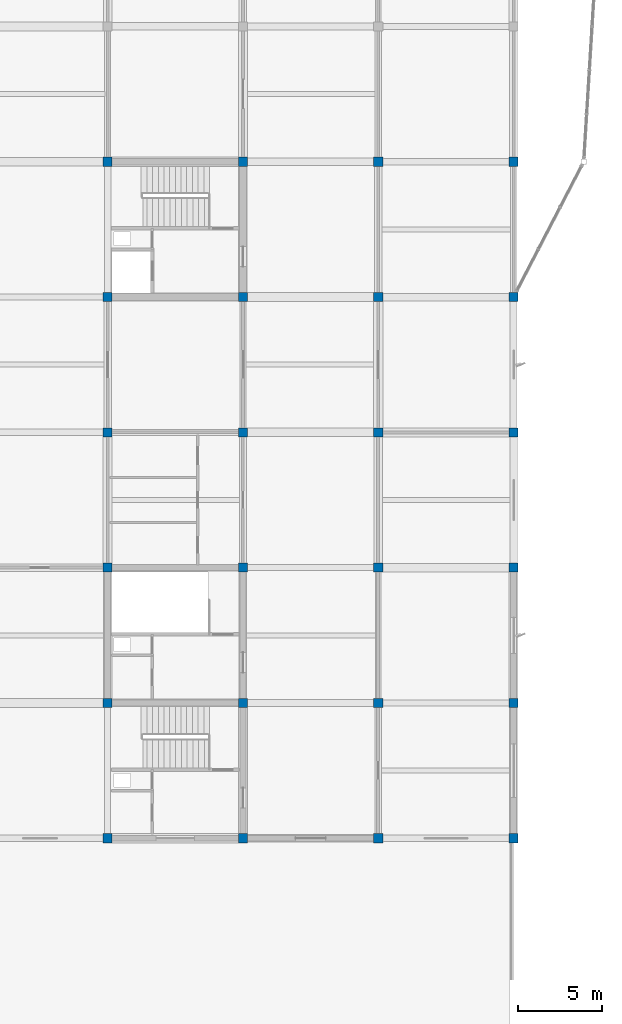
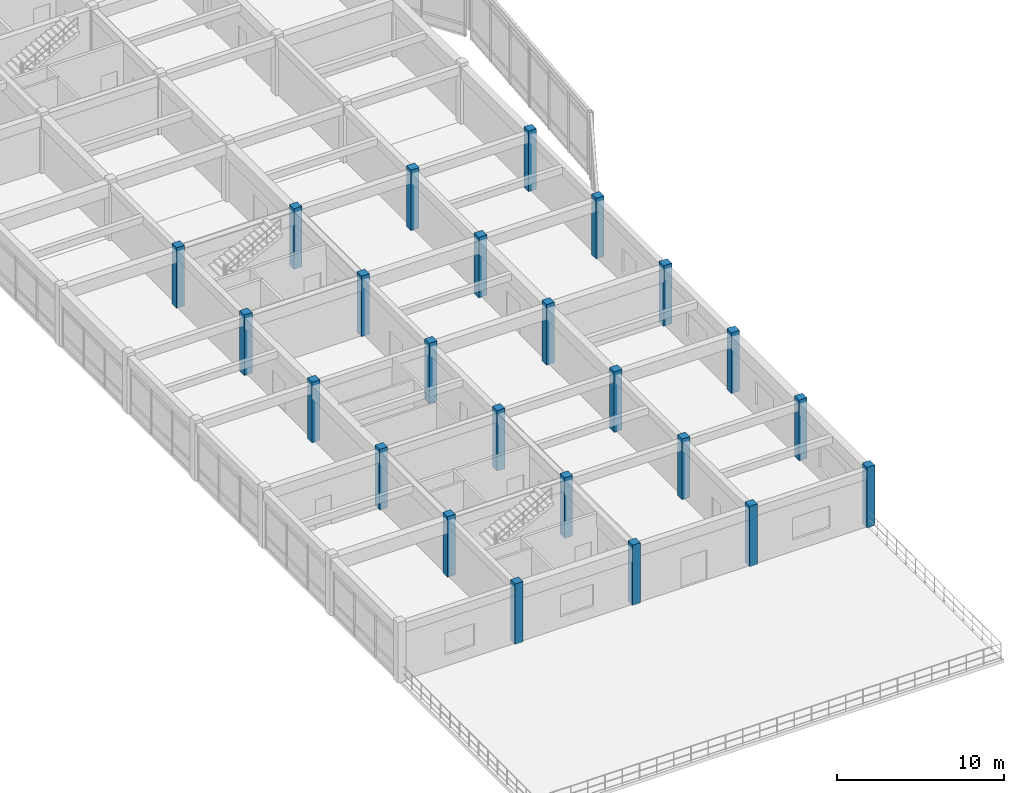
# One storey, part 10 of 33: 24 columns.
"""IFC4 building model written with IfcOpenShell, lengths in metres."""

from ifc_helpers import new_model, si_unit, direction, frame, origin, origin_2d, place, context, subcontext, project, spatial, rectangle, extrude, material, material_profile, profile_set, type_object, element, save


model = new_model("IFC4")

# Units and contexts
model_context = context("Model", 3, precision=1e-05, world=origin(), true_north=direction((0.0, 1.0)))
body_context = subcontext(model_context, "Body", "Model", "MODEL_VIEW")
ifc_project = project(units=[si_unit("LENGTHUNIT", "METRE"), si_unit("AREAUNIT", "SQUARE_METRE"), si_unit("VOLUMEUNIT", "CUBIC_METRE"), si_unit("PLANEANGLEUNIT", "RADIAN"), si_unit("MASSUNIT", "GRAM", prefix="KILO")], contexts=[model_context])

# Site, building, storey
site_placement = place(None, origin())
site = spatial("IfcSite", under=ifc_project, at=site_placement, CompositionType="ELEMENT")
building_placement = place(site_placement, origin())
building = spatial("IfcBuilding", under=site, at=building_placement, Name="Vaudrelin Polytechnic", CompositionType="ELEMENT")
storey_placement = place(building_placement, frame((0.0, 0.0, 27.3701171875)))
storey = spatial("IfcBuildingStorey", under=building, at=storey_placement, Name="L06", CompositionType="ELEMENT", Elevation=27.3701171875)

# Columns
ifc_material = material(Name="Concrete 40 MPa", Category="concrete")
ifc_material_profile = material_profile(ifc_material, rectangle(XDim=0.550048828125, YDim=0.550048828125, at=origin_2d()), Name="RC550x550")
ifc_profile_set = profile_set([ifc_material_profile], Name="Concrete 40 MPa")
column_type = type_object("IfcColumnType", Name="COL-C-RC550", PredefinedType="COLUMN", material=ifc_profile_set)
for number, where, z_axis, x_axis, name in (
    (1, (145.800048828125, 32.39990234375, 0.0), (0.0, 0.0, 1.0), (1.0, 0.0, 0.0), "Column L06 19-5"),
    (2, (145.800048828125, 40.5, 0.0), (0.0, 0.0, 1.0), (1.0, 0.0, 0.0), "Column L06 19-6"),
    (3, (145.800048828125, 48.60009765625, 0.0), (0.0, 0.0, 1.0), (1.0, 0.0, 0.0), "Column L06 19-7"),
    (4, (145.800048828125, 56.699951171875, 0.0), (0.0, 0.0, 1.0), (1.0, 0.0, 0.0), "Column L06 19-8"),
    (5, (145.800048828125, 64.800048828125, 0.0), (0.0, 0.0, 1.0), (1.0, 0.0, 0.0), "Column L06 19-9"),
    (6, (145.800048828125, 72.89990234375, 0.0), (0.0, 0.0, 1.0), (1.0, 0.0, 0.0), "Column L06 19-10"),
    (7, (153.89990234375, 32.39990234375, 0.0), (0.0, 0.0, 1.0), (1.0, 0.0, 0.0), "Column L06 20-5"),
    (8, (153.89990234375, 40.5, 0.0), (0.0, 0.0, 1.0), (1.0, 0.0, 0.0), "Column L06 20-6"),
    (9, (153.89990234375, 48.60009765625, 0.0), (0.0, 0.0, 1.0), (1.0, 0.0, 0.0), "Column L06 20-7"),
    (10, (153.89990234375, 56.699951171875, 0.0), (0.0, 0.0, 1.0), (1.0, 0.0, 0.0), "Column L06 20-8"),
    (11, (153.89990234375, 64.800048828125, 0.0), (0.0, 0.0, 1.0), (1.0, 0.0, 0.0), "Column L06 20-9"),
    (12, (153.89990234375, 72.89990234375, 0.0), (0.0, 0.0, 1.0), (1.0, 0.0, 0.0), "Column L06 20-10"),
    (13, (162.0, 32.39990234375, 0.0), (0.0, 0.0, 1.0), (1.0, 0.0, 0.0), "Column L06 21-5"),
    (14, (162.0, 40.5, 0.0), (0.0, 0.0, 1.0), (1.0, 0.0, 0.0), "Column L06 21-6"),
    (15, (162.0, 48.60009765625, 0.0), (0.0, 0.0, 1.0), (1.0, 0.0, 0.0), "Column L06 21-7"),
    (16, (162.0, 56.699951171875, 0.0), (0.0, 0.0, 1.0), (1.0, 0.0, 0.0), "Column L06 21-8"),
    (17, (162.0, 64.800048828125, 0.0), (0.0, 0.0, 1.0), (1.0, 0.0, 0.0), "Column L06 21-9"),
    (18, (162.0, 72.89990234375, 0.0), (0.0, 0.0, 1.0), (1.0, 0.0, 0.0), "Column L06 21-10"),
    (19, (170.10009765625, 32.39990234375, 0.0), (0.0, 0.0, 1.0), (1.0, 0.0, 0.0), "Column L06 22-5"),
    (20, (170.10009765625, 40.5, 0.0), (0.0, 0.0, 1.0), (1.0, 0.0, 0.0), "Column L06 22-6"),
    (21, (170.10009765625, 48.60009765625, 0.0), (0.0, 0.0, 1.0), (1.0, 0.0, 0.0), "Column L06 22-7"),
    (22, (170.10009765625, 56.699951171875, 0.0), (0.0, 0.0, 1.0), (1.0, 0.0, 0.0), "Column L06 22-8"),
    (23, (170.10009765625, 64.800048828125, 0.0), (0.0, 0.0, 1.0), (1.0, 0.0, 0.0), "Column L06 22-9"),
    (24, (170.10009765625, 72.89990234375, 0.0), (0.0, 0.0, 1.0), (1.0, 0.0, 0.0), "Column L06 22-10"),
):
    element("IfcColumn", number, at=place(storey_placement, frame(where, z_axis=z_axis, x_axis=x_axis)), inside=storey, type_object=column_type, Name=name, PredefinedType="COLUMN", context=body_context, shape_type="SweptSolid", body=[
        extrude(rectangle(XDim=0.550048828125, YDim=0.550048828125, at=origin_2d()), origin(), (0.0, 0.0, 1.0), 4.419921875),
    ])

save(model, "model.ifc")
